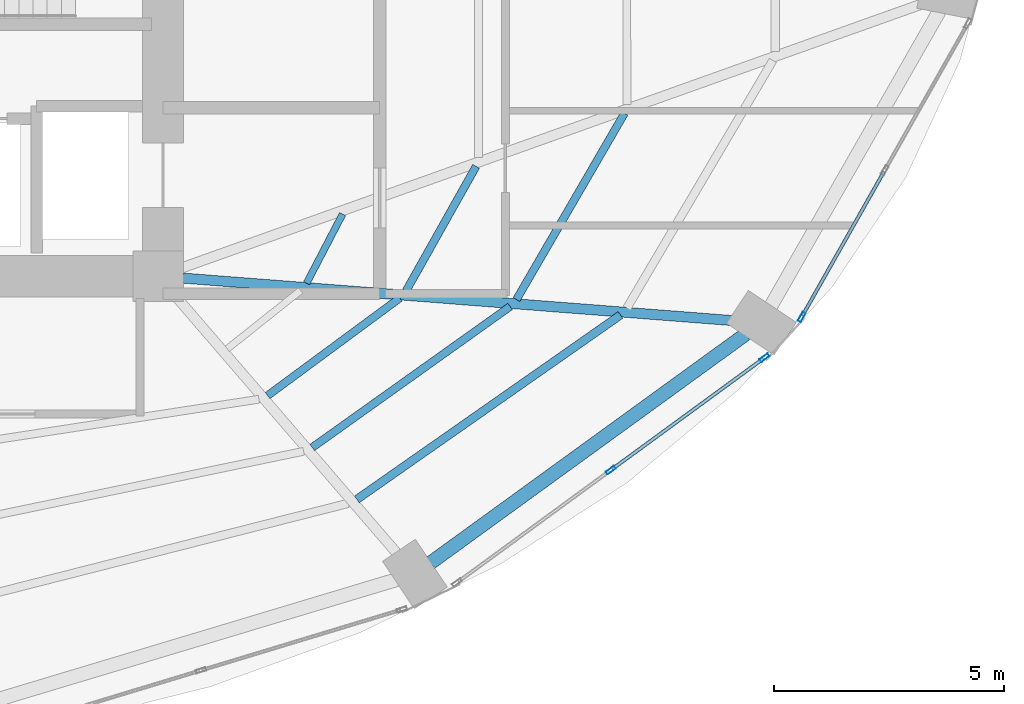
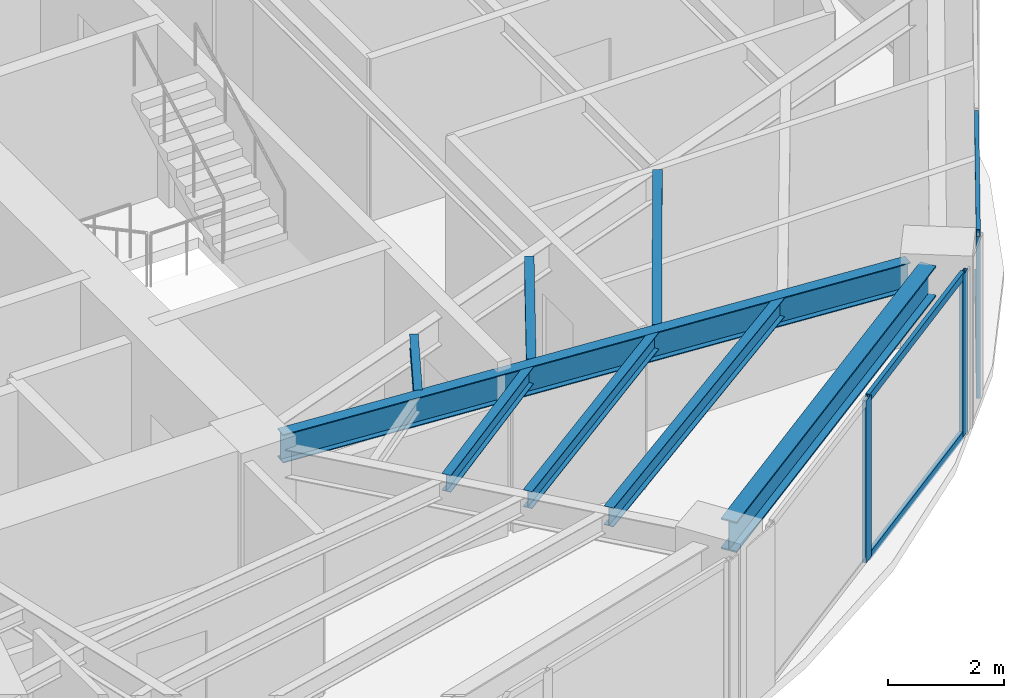
# One storey, part 11 of 25: 8 beams, 7 members, 2 elements without a shape of their own.
"""IFC4 building model written with IfcOpenShell, lengths in metres."""

from ifc_helpers import new_model, si_unit, direction, frame, origin, origin_2d, place, context, subcontext, project, spatial, hollow_rectangle, i_section, extrude, material, layer, layer_set, material_profile, profile_set, type_object, element, aggregate, save


model = new_model("IFC4")

# Units and contexts
model_context = context("Model", 3, precision=1e-05, world=origin(), true_north=direction((0.0, 1.0)))
body_context = subcontext(model_context, "Body", "Model", "MODEL_VIEW")
ifc_project = project(units=[si_unit("LENGTHUNIT", "METRE"), si_unit("AREAUNIT", "SQUARE_METRE"), si_unit("VOLUMEUNIT", "CUBIC_METRE"), si_unit("PLANEANGLEUNIT", "RADIAN"), si_unit("MASSUNIT", "GRAM", prefix="KILO")], contexts=[model_context])

# Site, building, storey
site_placement = place(None, origin())
site = spatial("IfcSite", under=ifc_project, at=site_placement, CompositionType="ELEMENT")
building_placement = place(site_placement, origin())
building = spatial("IfcBuilding", under=site, at=building_placement, Name="Lazwardi Medical Tower", CompositionType="ELEMENT")
storey_placement = place(building_placement, frame((0.0, 0.0, 47.087890625)))
storey = spatial("IfcBuildingStorey", under=building, at=storey_placement, Name="L11", CompositionType="ELEMENT", Elevation=47.087890625)

# Beams
ifc_material_1 = material(Name="Steel S355", Category="steel")
ifc_material_profile_1 = material_profile(ifc_material_1, i_section(OverallWidth=0.300048828125, OverallDepth=0.64990234375, WebThickness=0.01611328125, FlangeThickness=0.031005859375, at=origin_2d()), Name="HEB 650")
ifc_profile_set_1 = profile_set([ifc_material_profile_1], Name="Steel S355")
beam_type_1 = type_object("IfcBeamType", Name="BM-RB-Z1", PredefinedType="BEAM", material=ifc_profile_set_1)
beam_1_placement = place(storey_placement, frame((51.52099609375, 14.16259765625, 3.10302734375), z_axis=(0.80939338516, 0.5872668457, 0.0), x_axis=(-0.5872668457, 0.80939338516, 0.0)))
element("IfcBeam", 1, at=beam_1_placement, inside=storey, type_object=beam_type_1, Name="Ring beam RB-02 B02 L11", PredefinedType="BEAM", context=body_context, shape_type="SweptSolid", body=[
    extrude(i_section(OverallWidth=0.300048828125, OverallDepth=0.64990234375, WebThickness=0.01611328125, FlangeThickness=0.031005859375, at=origin_2d()), origin(), (0.0, 0.0, 1.0), 8.47412109375),
])
ifc_material_profile_2 = material_profile(ifc_material_1, i_section(OverallWidth=0.219970703125, OverallDepth=0.60009765625, WebThickness=0.011962890625, FlangeThickness=0.01904296875, at=origin_2d()), Name="IPE 600")
ifc_profile_set_2 = profile_set([ifc_material_profile_2], Name="Steel S355")
beam_type_2 = type_object("IfcBeamType", Name="BM-RG-W1", PredefinedType="BEAM", material=ifc_profile_set_2)
beam_2_placement = place(storey_placement, frame((58.1416015625, 19.430419921875, 3.128173828125), z_axis=(-0.997024241118, 0.077088667283, 0.0), x_axis=(-0.077088667283, -0.997024241118, 0.0)))
element("IfcBeam", 2, at=beam_2_placement, inside=storey, type_object=beam_type_2, Name="Radial girder RG-02 R03 L11", PredefinedType="BEAM", context=body_context, shape_type="SweptSolid", body=[
    extrude(i_section(OverallWidth=0.219970703125, OverallDepth=0.60009765625, WebThickness=0.011962890625, FlangeThickness=0.01904296875, at=origin_2d()), origin(), (0.0, 0.0, 1.0), 12.044189453125),
])
ifc_material_profile_3 = material_profile(ifc_material_1, i_section(OverallWidth=0.179931640625, OverallDepth=0.39990234375, WebThickness=0.008544921875, FlangeThickness=0.013427734375, at=origin_2d()), Name="IPE 400")
ifc_profile_set_3 = profile_set([ifc_material_profile_3], Name="Steel S355")
beam_type_3 = type_object("IfcBeamType", Name="BM-SJ-01", PredefinedType="JOIST", material=ifc_profile_set_3)
beam_3_placement = place(storey_placement, frame((49.91796875, 15.543701171875, 3.22802734375), z_axis=(0.81942522483, 0.573186096231, 0.0), x_axis=(-0.573186096231, 0.81942522483, 0.0)))
element("IfcBeam", 3, at=beam_3_placement, inside=storey, type_object=beam_type_3, Name="Secondary joist SJ-01 R1 B02 L11", PredefinedType="JOIST", context=body_context, shape_type="SweptSolid", body=[
    extrude(i_section(OverallWidth=0.179931640625, OverallDepth=0.39990234375, WebThickness=0.008544921875, FlangeThickness=0.013427734375, at=origin_2d()), origin(), (0.0, 0.0, 1.0), 6.999755859375),
])
ifc_material_profile_4 = material_profile(ifc_material_1, i_section(OverallWidth=0.169921875, OverallDepth=0.360107421875, WebThickness=0.008056640625, FlangeThickness=0.0126953125, at=origin_2d()), Name="IPE 360")
ifc_profile_set_4 = profile_set([ifc_material_profile_4], Name="Steel S355")
beam_type_4 = type_object("IfcBeamType", Name="BM-SJ-02", PredefinedType="JOIST", material=ifc_profile_set_4)
beam_4_placement = place(storey_placement, frame((48.94677734375, 16.672119140625, 3.248046875), z_axis=(0.814341377136, 0.580386183058, 0.0), x_axis=(-0.580386183058, 0.814341377136, 0.0)))
element("IfcBeam", 4, at=beam_4_placement, inside=storey, type_object=beam_type_4, Name="Secondary joist SJ-02 R2 B02 L11", PredefinedType="JOIST", context=body_context, shape_type="SweptSolid", body=[
    extrude(i_section(OverallWidth=0.169921875, OverallDepth=0.360107421875, WebThickness=0.008056640625, FlangeThickness=0.0126953125, at=origin_2d()), origin(), (0.0, 0.0, 1.0), 5.28759765625),
])
beam_5_placement = place(storey_placement, frame((53.39111328125, 19.892578125, 3.248046875), z_axis=(0.501798442848, 0.86498457949, 0.0), x_axis=(-0.86498457949, 0.501798442848, 0.0)))
element("IfcBeam", 5, at=beam_5_placement, inside=storey, type_object=beam_type_4, Name="Secondary joist SJ-02 R2 B03 L11", PredefinedType="JOIST", context=body_context, shape_type="SweptSolid", body=[
    extrude(i_section(OverallWidth=0.169921875, OverallDepth=0.360107421875, WebThickness=0.008056640625, FlangeThickness=0.0126953125, at=origin_2d()), origin(), (0.0, 0.0, 1.0), 4.683349609375),
])
beam_6_placement = place(storey_placement, frame((47.974853515625, 17.80126953125, 3.248046875), z_axis=(0.804580292353, 0.593843879448, 0.0), x_axis=(-0.593843879448, 0.804580292353, 0.0)))
element("IfcBeam", 6, at=beam_6_placement, inside=storey, type_object=beam_type_4, Name="Secondary joist SJ-02 R3 B02 L11", PredefinedType="JOIST", context=body_context, shape_type="SweptSolid", body=[
    extrude(i_section(OverallWidth=0.169921875, OverallDepth=0.360107421875, WebThickness=0.008056640625, FlangeThickness=0.0126953125, at=origin_2d()), origin(), (0.0, 0.0, 1.0), 3.576416015625),
])
beam_7_placement = place(storey_placement, frame((50.988037109375, 20.0791015625, 3.248046875), z_axis=(0.489974339037, 0.87173685656, 0.0), x_axis=(-0.87173685656, 0.489974339037, 0.0)))
element("IfcBeam", 7, at=beam_7_placement, inside=storey, type_object=beam_type_4, Name="Secondary joist SJ-02 R3 B03 L11", PredefinedType="JOIST", context=body_context, shape_type="SweptSolid", body=[
    extrude(i_section(OverallWidth=0.169921875, OverallDepth=0.360107421875, WebThickness=0.008056640625, FlangeThickness=0.0126953125, at=origin_2d()), origin(), (0.0, 0.0, 1.0), 3.111328125),
])
ifc_material_profile_5 = material_profile(ifc_material_1, i_section(OverallWidth=0.14990234375, OverallDepth=0.300048828125, WebThickness=0.007080078125, FlangeThickness=0.0107421875, at=origin_2d()), Name="IPE 300")
ifc_profile_set_5 = profile_set([ifc_material_profile_5], Name="Steel S355")
beam_type_5 = type_object("IfcBeamType", Name="BM-SJ-03", PredefinedType="JOIST", material=ifc_profile_set_5)
beam_8_placement = place(storey_placement, frame((48.82373046875, 20.247802734375, 3.278076171875), z_axis=(0.462162985948, 0.88679500135, 0.0), x_axis=(-0.88679500135, 0.462162985948, 0.0)))
element("IfcBeam", 8, at=beam_8_placement, inside=storey, type_object=beam_type_5, Name="Secondary joist SJ-03 R4 B03 L11", PredefinedType="JOIST", context=body_context, shape_type="SweptSolid", body=[
    extrude(i_section(OverallWidth=0.14990234375, OverallDepth=0.300048828125, WebThickness=0.007080078125, FlangeThickness=0.0107421875, at=origin_2d()), origin(), (0.0, 0.0, 1.0), 1.69775390625),
])

# Curtain wall, members
ifc_material_2 = material(Name="Anodised bronze aluminium and solar control glazing", Category="aluminium")
ifc_layer = layer(ifc_material_2, 0.199951171875)
ifc_layer_set = layer_set([ifc_layer], Name="Anodised bronze aluminium and solar control glazing")
curtain_wall_type = type_object("IfcCurtainWallType", Name="CW-SYS-02", PredefinedType="NOTDEFINED", material=ifc_layer_set)
curtain_wall_1_placement = place(storey_placement, origin())
curtain_wall_1 = element("IfcCurtainWall", 9, at=curtain_wall_1_placement, inside=storey, type_object=curtain_wall_type, Name="L11 Unitised bronze curtain wall CW-02", PredefinedType="NOTDEFINED")
ifc_material_3 = material(Name="Anodised bronze aluminium", Category="aluminium")
ifc_material_profile_6 = material_profile(ifc_material_3, hollow_rectangle(XDim=0.074951171875, YDim=0.219970703125, WallThickness=0.00390625, at=origin_2d()), Name="ALU-MULLION 220x75x4")
ifc_profile_set_6 = profile_set([ifc_material_profile_6], Name="Anodised bronze aluminium")
member_type_1 = type_object("IfcMemberType", Name="CW-MUL-01", PredefinedType="MULLION", material=ifc_profile_set_6)
member_1_placement = place(storey_placement, frame((55.4443359375, 16.1806640625, 0.0), z_axis=(0.0, 0.0, 1.0), x_axis=(-0.590289307341, 0.807191757663, 0.0)))
member_1 = element("IfcMember", 10, at=member_1_placement, type_object=member_type_1, Name="CW-02 mullion 2", PredefinedType="MULLION", context=body_context, shape_type="SweptSolid", body=[
    extrude(hollow_rectangle(XDim=0.074951171875, YDim=0.219970703125, WallThickness=0.00390625, at=origin_2d()), origin(), (0.0, 0.0, 1.0), 3.42822265625),
])
member_2_placement = place(storey_placement, frame((58.790283203125, 18.62744140625, 0.0), z_axis=(0.0, 0.0, 1.0), x_axis=(-0.590289307341, 0.807191757663, 0.0)))
member_2 = element("IfcMember", 11, at=member_2_placement, type_object=member_type_1, Name="CW-02 mullion 3", PredefinedType="MULLION", context=body_context, shape_type="SweptSolid", body=[
    extrude(hollow_rectangle(XDim=0.074951171875, YDim=0.219970703125, WallThickness=0.00390625, at=origin_2d()), origin(), (0.0, 0.0, 1.0), 3.42822265625),
])

# Curtain wall, member
curtain_wall_2_placement = place(storey_placement, origin())
curtain_wall_2 = element("IfcCurtainWall", 12, at=curtain_wall_2_placement, inside=storey, type_object=curtain_wall_type, Name="L11 Unitised bronze curtain wall CW-02", PredefinedType="NOTDEFINED")
member_3_placement = place(storey_placement, frame((59.5966796875, 19.511474609375, 0.0), z_axis=(0.0, 0.0, 1.0), x_axis=(-0.870111838823, 0.492854327303, 0.0)))
member_3 = element("IfcMember", 13, at=member_3_placement, type_object=member_type_1, Name="CW-02 mullion 1", PredefinedType="MULLION", context=body_context, shape_type="SweptSolid", body=[
    extrude(hollow_rectangle(XDim=0.074951171875, YDim=0.219970703125, WallThickness=0.00390625, at=origin_2d()), origin(), (0.0, 0.0, 1.0), 3.42822265625),
])

# Member
ifc_material_profile_7 = material_profile(ifc_material_3, hollow_rectangle(XDim=0.074951171875, YDim=0.159912109375, WallThickness=0.00390625, at=origin_2d()), Name="ALU-TRANSOM 160x75x4")
ifc_profile_set_7 = profile_set([ifc_material_profile_7], Name="Anodised bronze aluminium")
member_type_2 = type_object("IfcMemberType", Name="CW-TRN-01", PredefinedType="USERDEFINED", material=ifc_profile_set_7)
member_4_placement = place(storey_placement, frame((55.474609375, 16.202880859375, 0.03759765625), z_axis=(0.807218536774, 0.590252686472, 0.0), x_axis=(-0.590252686472, 0.807218536774, 0.0)))
member_4 = element("IfcMember", 14, at=member_4_placement, type_object=member_type_2, Name="CW-02 transom 2.1", ObjectType="TRANSOM", PredefinedType="USERDEFINED", context=body_context, shape_type="SweptSolid", body=[
    extrude(hollow_rectangle(XDim=0.074951171875, YDim=0.159912109375, WallThickness=0.00390625, at=origin_2d()), origin(), (0.0, 0.0, 1.0), 4.070068359375),
])

member_5_placement = place(storey_placement, frame((55.474609375, 16.202880859375, 3.390625), z_axis=(0.807218536774, 0.590252686472, 0.0), x_axis=(-0.590252686472, 0.807218536774, 0.0)))
member_5 = element("IfcMember", 15, at=member_5_placement, type_object=member_type_2, Name="CW-02 transom 2.2", ObjectType="TRANSOM", PredefinedType="USERDEFINED", context=body_context, shape_type="SweptSolid", body=[
    extrude(hollow_rectangle(XDim=0.074951171875, YDim=0.159912109375, WallThickness=0.00390625, at=origin_2d()), origin(), (0.0, 0.0, 1.0), 4.070068359375),
])

aggregate(curtain_wall_1, [member_1, member_2, member_4, member_5])

member_6_placement = place(storey_placement, frame((59.615234375, 19.5439453125, 0.03759765625), z_axis=(0.49285148925, 0.870113446365, 0.0), x_axis=(-0.870113446365, 0.49285148925, 0.0)))
member_6 = element("IfcMember", 16, at=member_6_placement, type_object=member_type_2, Name="CW-02 transom 1.1", ObjectType="TRANSOM", PredefinedType="USERDEFINED", context=body_context, shape_type="SweptSolid", body=[
    extrude(hollow_rectangle(XDim=0.074951171875, YDim=0.159912109375, WallThickness=0.00390625, at=origin_2d()), origin(), (0.0, 0.0, 1.0), 3.594970703125),
])

member_7_placement = place(storey_placement, frame((59.615234375, 19.5439453125, 3.390625), z_axis=(0.49285148925, 0.870113446365, 0.0), x_axis=(-0.870113446365, 0.49285148925, 0.0)))
member_7 = element("IfcMember", 17, at=member_7_placement, type_object=member_type_2, Name="CW-02 transom 1.2", ObjectType="TRANSOM", PredefinedType="USERDEFINED", context=body_context, shape_type="SweptSolid", body=[
    extrude(hollow_rectangle(XDim=0.074951171875, YDim=0.159912109375, WallThickness=0.00390625, at=origin_2d()), origin(), (0.0, 0.0, 1.0), 3.594970703125),
])

aggregate(curtain_wall_2, [member_3, member_6, member_7])

save(model, "model.ifc")
